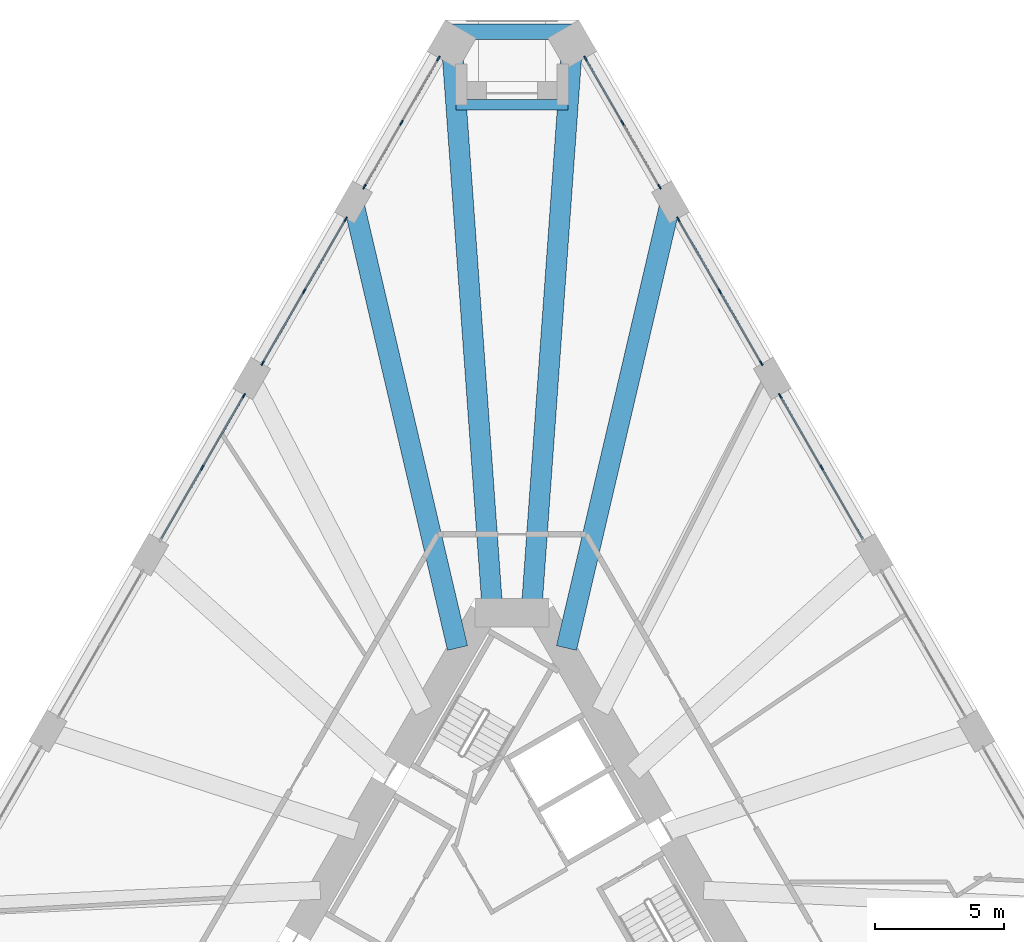
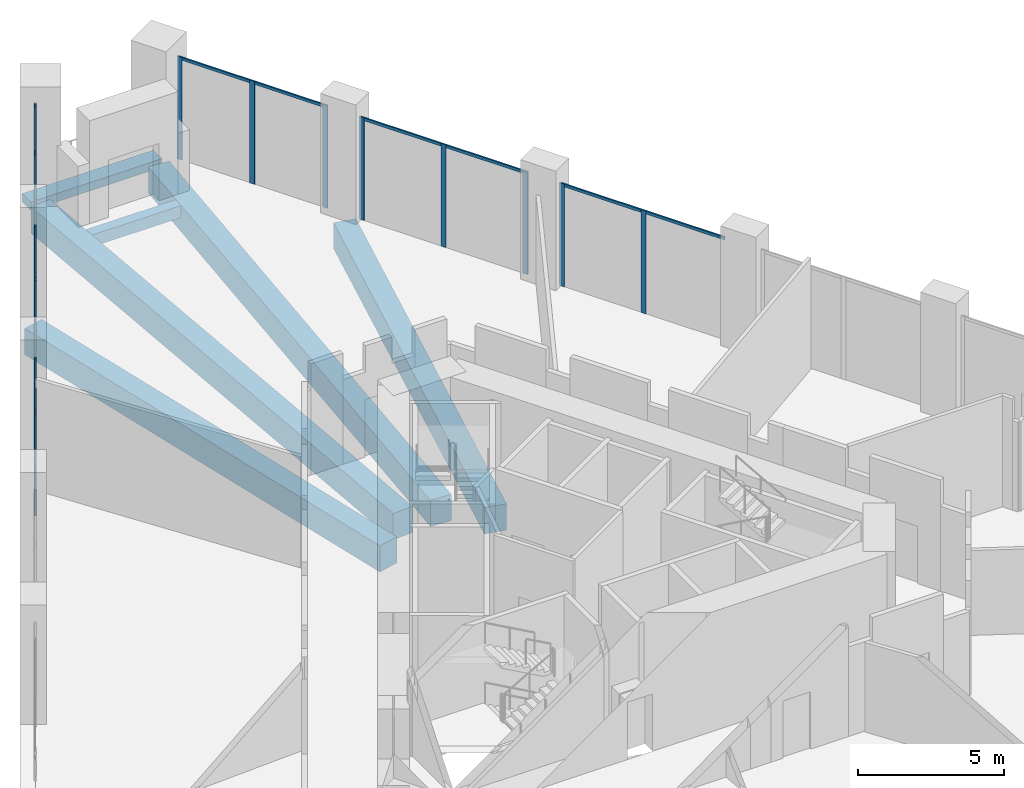
# One storey, part 11 of 20: 28 members, 6 beams, 6 elements without a shape of their own.
"""IFC4 building model written with IfcOpenShell, lengths in metres."""

from ifc_helpers import new_model, si_unit, direction, frame, origin, origin_2d, place, context, subcontext, project, spatial, rectangle, extrude, material, layer, layer_set, material_profile, profile_set, type_object, element, aggregate, save


model = new_model("IFC4")

# Units and contexts
model_context = context("Model", 3, precision=1e-05, world=origin(), true_north=direction((0.0, 1.0)))
body_context = subcontext(model_context, "Body", "Model", "MODEL_VIEW")
ifc_project = project(units=[si_unit("LENGTHUNIT", "METRE"), si_unit("AREAUNIT", "SQUARE_METRE"), si_unit("VOLUMEUNIT", "CUBIC_METRE"), si_unit("PLANEANGLEUNIT", "RADIAN"), si_unit("MASSUNIT", "GRAM", prefix="KILO")], contexts=[model_context])

# Site, building, storey
site_placement = place(None, origin())
site = spatial("IfcSite", under=ifc_project, at=site_placement, CompositionType="ELEMENT")
building_placement = place(site_placement, origin())
building = spatial("IfcBuilding", under=site, at=building_placement, Name="Tramontana Tower", CompositionType="ELEMENT")
storey_placement = place(building_placement, frame((0.0, 0.0, 15.0)))
storey = spatial("IfcBuildingStorey", under=building, at=storey_placement, Name="L02", CompositionType="ELEMENT", Elevation=15.0)

# Curtain wall, members
ifc_material_1 = material(Name="Aluminum extrusion", Category="aluminium")
ifc_layer = layer(ifc_material_1, 0.14990234375)
ifc_layer_set = layer_set([ifc_layer], Name="CW2 Podium amenity curtain wall")
curtain_wall_type = type_object("IfcCurtainWallType", Name="CW2 Podium amenity curtain wall", PredefinedType="NOTDEFINED", material=ifc_layer_set)
curtain_wall_1_placement = place(storey_placement, origin())
curtain_wall_1 = element("IfcCurtainWall", 1, at=curtain_wall_1_placement, inside=storey, type_object=curtain_wall_type, Name="CW2 curtain wall L02 face 0 bay 1", PredefinedType="NOTDEFINED")
ifc_material_2 = material(Name="Aluminum extrusion", Category="aluminium")
ifc_material_profile_1 = material_profile(ifc_material_2, rectangle(XDim=0.06005859375, YDim=0.199951171875, at=origin_2d()), Name="CW2-M Mullion 60 x 200")
ifc_profile_set_1 = profile_set([ifc_material_profile_1], Name="Aluminum extrusion")
member_type_1 = type_object("IfcMemberType", Name="CW2-M Mullion 60 x 200", PredefinedType="MULLION", material=ifc_profile_set_1)
member_1_placement = place(storey_placement, frame((-2.8583984375, 31.9990234375, 0.0), z_axis=(0.0, 0.0, 1.0), x_axis=(0.866025403784, -0.5, 0.0)))
member_1 = element("IfcMember", 2, at=member_1_placement, type_object=member_type_1, Name="CW2 curtain wall L02 face 0 bay 1 mullion 1", PredefinedType="MULLION", context=body_context, shape_type="SweptSolid", body=[
    extrude(rectangle(XDim=0.06005859375, YDim=0.199951171875, at=origin_2d()), origin(), (0.0, 0.0, 1.0), 4.300048828125),
])
member_2_placement = place(storey_placement, frame((-4.2978515625, 29.505859375, 0.0), z_axis=(0.0, 0.0, 1.0), x_axis=(0.866025403784, -0.5, 0.0)))
member_2 = element("IfcMember", 3, at=member_2_placement, type_object=member_type_1, Name="CW2 curtain wall L02 face 0 bay 1 mullion 2", PredefinedType="MULLION", context=body_context, shape_type="SweptSolid", body=[
    extrude(rectangle(XDim=0.06005859375, YDim=0.199951171875, at=origin_2d()), origin(), (0.0, 0.0, 1.0), 4.300048828125),
])
member_3_placement = place(storey_placement, frame((-5.7373046875, 27.012451171875, 0.0), z_axis=(0.0, 0.0, 1.0), x_axis=(0.866025403784, -0.5, 0.0)))
member_3 = element("IfcMember", 4, at=member_3_placement, type_object=member_type_1, Name="CW2 curtain wall L02 face 0 bay 1 mullion 3", PredefinedType="MULLION", context=body_context, shape_type="SweptSolid", body=[
    extrude(rectangle(XDim=0.06005859375, YDim=0.199951171875, at=origin_2d()), origin(), (0.0, 0.0, 1.0), 4.300048828125),
])

curtain_wall_2_placement = place(storey_placement, origin())
curtain_wall_2 = element("IfcCurtainWall", 5, at=curtain_wall_2_placement, inside=storey, type_object=curtain_wall_type, Name="CW2 curtain wall L02 face 0 bay 2", PredefinedType="NOTDEFINED")
member_4_placement = place(storey_placement, frame((-6.46728515625, 25.748046875, 0.0), z_axis=(0.0, 0.0, 1.0), x_axis=(0.866025403784, -0.5, 0.0)))
member_4 = element("IfcMember", 6, at=member_4_placement, type_object=member_type_1, Name="CW2 curtain wall L02 face 0 bay 2 mullion 1", PredefinedType="MULLION", context=body_context, shape_type="SweptSolid", body=[
    extrude(rectangle(XDim=0.06005859375, YDim=0.199951171875, at=origin_2d()), origin(), (0.0, 0.0, 1.0), 4.300048828125),
])
member_5_placement = place(storey_placement, frame((-8.081787109375, 22.951904296875, 0.0), z_axis=(0.0, 0.0, 1.0), x_axis=(0.866025403784, -0.5, 0.0)))
member_5 = element("IfcMember", 7, at=member_5_placement, type_object=member_type_1, Name="CW2 curtain wall L02 face 0 bay 2 mullion 2", PredefinedType="MULLION", context=body_context, shape_type="SweptSolid", body=[
    extrude(rectangle(XDim=0.06005859375, YDim=0.199951171875, at=origin_2d()), origin(), (0.0, 0.0, 1.0), 4.300048828125),
])
member_6_placement = place(storey_placement, frame((-9.6962890625, 20.155517578125, 0.0), z_axis=(0.0, 0.0, 1.0), x_axis=(0.866025403784, -0.5, 0.0)))
member_6 = element("IfcMember", 8, at=member_6_placement, type_object=member_type_1, Name="CW2 curtain wall L02 face 0 bay 2 mullion 3", PredefinedType="MULLION", context=body_context, shape_type="SweptSolid", body=[
    extrude(rectangle(XDim=0.06005859375, YDim=0.199951171875, at=origin_2d()), origin(), (0.0, 0.0, 1.0), 4.300048828125),
])

curtain_wall_3_placement = place(storey_placement, origin())
curtain_wall_3 = element("IfcCurtainWall", 9, at=curtain_wall_3_placement, inside=storey, type_object=curtain_wall_type, Name="CW2 curtain wall L02 face 0 bay 3", PredefinedType="NOTDEFINED")
member_7_placement = place(storey_placement, frame((-10.42626953125, 18.89111328125, 0.0), z_axis=(0.0, 0.0, 1.0), x_axis=(0.866025403784, -0.5, 0.0)))
member_7 = element("IfcMember", 10, at=member_7_placement, type_object=member_type_1, Name="CW2 curtain wall L02 face 0 bay 3 mullion 1", PredefinedType="MULLION", context=body_context, shape_type="SweptSolid", body=[
    extrude(rectangle(XDim=0.06005859375, YDim=0.199951171875, at=origin_2d()), origin(), (0.0, 0.0, 1.0), 4.300048828125),
])
member_8_placement = place(storey_placement, frame((-12.040771484375, 16.0947265625, 0.0), z_axis=(0.0, 0.0, 1.0), x_axis=(0.866025403784, -0.5, 0.0)))
member_8 = element("IfcMember", 11, at=member_8_placement, type_object=member_type_1, Name="CW2 curtain wall L02 face 0 bay 3 mullion 2", PredefinedType="MULLION", context=body_context, shape_type="SweptSolid", body=[
    extrude(rectangle(XDim=0.06005859375, YDim=0.199951171875, at=origin_2d()), origin(), (0.0, 0.0, 1.0), 4.300048828125),
])

curtain_wall_4_placement = place(storey_placement, origin())
curtain_wall_4 = element("IfcCurtainWall", 12, at=curtain_wall_4_placement, inside=storey, type_object=curtain_wall_type, Name="CW2 curtain wall L02 face 2 bay 5", PredefinedType="NOTDEFINED")
member_9_placement = place(storey_placement, frame((12.040771484375, 16.0947265625, 0.0), z_axis=(0.0, 0.0, 1.0), x_axis=(-0.866025403784, -0.5, 0.0)))
member_9 = element("IfcMember", 13, at=member_9_placement, type_object=member_type_1, Name="CW2 curtain wall L02 face 2 bay 5 mullion 2", PredefinedType="MULLION", context=body_context, shape_type="SweptSolid", body=[
    extrude(rectangle(XDim=0.06005859375, YDim=0.199951171875, at=origin_2d()), origin(), (0.0, 0.0, 1.0), 4.300048828125),
])
member_10_placement = place(storey_placement, frame((10.42626953125, 18.89111328125, 0.0), z_axis=(0.0, 0.0, 1.0), x_axis=(-0.866025403784, -0.5, 0.0)))
member_10 = element("IfcMember", 14, at=member_10_placement, type_object=member_type_1, Name="CW2 curtain wall L02 face 2 bay 5 mullion 3", PredefinedType="MULLION", context=body_context, shape_type="SweptSolid", body=[
    extrude(rectangle(XDim=0.06005859375, YDim=0.199951171875, at=origin_2d()), origin(), (0.0, 0.0, 1.0), 4.300048828125),
])

curtain_wall_5_placement = place(storey_placement, origin())
curtain_wall_5 = element("IfcCurtainWall", 15, at=curtain_wall_5_placement, inside=storey, type_object=curtain_wall_type, Name="CW2 curtain wall L02 face 2 bay 6", PredefinedType="NOTDEFINED")
member_11_placement = place(storey_placement, frame((9.6962890625, 20.155517578125, 0.0), z_axis=(0.0, 0.0, 1.0), x_axis=(-0.866025403784, -0.5, 0.0)))
member_11 = element("IfcMember", 16, at=member_11_placement, type_object=member_type_1, Name="CW2 curtain wall L02 face 2 bay 6 mullion 1", PredefinedType="MULLION", context=body_context, shape_type="SweptSolid", body=[
    extrude(rectangle(XDim=0.06005859375, YDim=0.199951171875, at=origin_2d()), origin(), (0.0, 0.0, 1.0), 4.300048828125),
])
member_12_placement = place(storey_placement, frame((8.081787109375, 22.951904296875, 0.0), z_axis=(0.0, 0.0, 1.0), x_axis=(-0.866025403784, -0.5, 0.0)))
member_12 = element("IfcMember", 17, at=member_12_placement, type_object=member_type_1, Name="CW2 curtain wall L02 face 2 bay 6 mullion 2", PredefinedType="MULLION", context=body_context, shape_type="SweptSolid", body=[
    extrude(rectangle(XDim=0.06005859375, YDim=0.199951171875, at=origin_2d()), origin(), (0.0, 0.0, 1.0), 4.300048828125),
])
member_13_placement = place(storey_placement, frame((6.46728515625, 25.748046875, 0.0), z_axis=(0.0, 0.0, 1.0), x_axis=(-0.866025403784, -0.5, 0.0)))
member_13 = element("IfcMember", 18, at=member_13_placement, type_object=member_type_1, Name="CW2 curtain wall L02 face 2 bay 6 mullion 3", PredefinedType="MULLION", context=body_context, shape_type="SweptSolid", body=[
    extrude(rectangle(XDim=0.06005859375, YDim=0.199951171875, at=origin_2d()), origin(), (0.0, 0.0, 1.0), 4.300048828125),
])

curtain_wall_6_placement = place(storey_placement, origin())
curtain_wall_6 = element("IfcCurtainWall", 19, at=curtain_wall_6_placement, inside=storey, type_object=curtain_wall_type, Name="CW2 curtain wall L02 face 2 bay 7", PredefinedType="NOTDEFINED")
member_14_placement = place(storey_placement, frame((5.7373046875, 27.012451171875, 0.0), z_axis=(0.0, 0.0, 1.0), x_axis=(-0.866025403784, -0.5, 0.0)))
member_14 = element("IfcMember", 20, at=member_14_placement, type_object=member_type_1, Name="CW2 curtain wall L02 face 2 bay 7 mullion 1", PredefinedType="MULLION", context=body_context, shape_type="SweptSolid", body=[
    extrude(rectangle(XDim=0.06005859375, YDim=0.199951171875, at=origin_2d()), origin(), (0.0, 0.0, 1.0), 4.300048828125),
])
member_15_placement = place(storey_placement, frame((4.2978515625, 29.505859375, 0.0), z_axis=(0.0, 0.0, 1.0), x_axis=(-0.866025403784, -0.5, 0.0)))
member_15 = element("IfcMember", 21, at=member_15_placement, type_object=member_type_1, Name="CW2 curtain wall L02 face 2 bay 7 mullion 2", PredefinedType="MULLION", context=body_context, shape_type="SweptSolid", body=[
    extrude(rectangle(XDim=0.06005859375, YDim=0.199951171875, at=origin_2d()), origin(), (0.0, 0.0, 1.0), 4.300048828125),
])
member_16_placement = place(storey_placement, frame((2.8583984375, 31.9990234375, 0.0), z_axis=(0.0, 0.0, 1.0), x_axis=(-0.866025403784, -0.5, 0.0)))
member_16 = element("IfcMember", 22, at=member_16_placement, type_object=member_type_1, Name="CW2 curtain wall L02 face 2 bay 7 mullion 3", PredefinedType="MULLION", context=body_context, shape_type="SweptSolid", body=[
    extrude(rectangle(XDim=0.06005859375, YDim=0.199951171875, at=origin_2d()), origin(), (0.0, 0.0, 1.0), 4.300048828125),
])

# Member
ifc_material_3 = material(Name="Aluminum extrusion", Category="aluminium")
ifc_material_profile_2 = material_profile(ifc_material_3, rectangle(XDim=0.06005859375, YDim=0.1201171875, at=origin_2d()), Name="CW2-T Transom 60 x 120")
ifc_profile_set_2 = profile_set([ifc_material_profile_2], Name="Aluminum extrusion")
member_type_2 = type_object("IfcMemberType", Name="CW2-T Transom 60 x 120", PredefinedType="USERDEFINED", material=ifc_profile_set_2)
member_17_placement = place(storey_placement, frame((-2.873291015625, 31.97314453125, 4.239990234375), z_axis=(-0.500032300065, -0.86600675453, 0.0), x_axis=(0.86600675453, -0.500032300065, 0.0)))
member_17 = element("IfcMember", 23, at=member_17_placement, type_object=member_type_2, Name="CW2 curtain wall L02 face 0 bay 1 transom 1.1", ObjectType="TRANSOM", PredefinedType="USERDEFINED", context=body_context, shape_type="SweptSolid", body=[
    extrude(rectangle(XDim=0.06005859375, YDim=0.1201171875, at=origin_2d()), origin(), (0.0, 0.0, 1.0), 2.819091796875),
])

member_18_placement = place(storey_placement, frame((-4.31298828125, 29.479736328125, 4.239990234375), z_axis=(-0.500004849665, -0.866022603811, 0.0), x_axis=(0.866022603811, -0.500004849665, 0.0)))
member_18 = element("IfcMember", 24, at=member_18_placement, type_object=member_type_2, Name="CW2 curtain wall L02 face 0 bay 1 transom 2.1", ObjectType="TRANSOM", PredefinedType="USERDEFINED", context=body_context, shape_type="SweptSolid", body=[
    extrude(rectangle(XDim=0.06005859375, YDim=0.1201171875, at=origin_2d()), origin(), (0.0, 0.0, 1.0), 2.81884765625),
])

aggregate(curtain_wall_1, [member_1, member_2, member_3, member_17, member_18])

member_19_placement = place(storey_placement, frame((-6.482421875, 25.72216796875, 4.239990234375), z_axis=(-0.500000324964, -0.866025216166, 0.0), x_axis=(0.866025216166, -0.500000324964, 0.0)))
member_19 = element("IfcMember", 25, at=member_19_placement, type_object=member_type_2, Name="CW2 curtain wall L02 face 0 bay 2 transom 1.1", ObjectType="TRANSOM", PredefinedType="USERDEFINED", context=body_context, shape_type="SweptSolid", body=[
    extrude(rectangle(XDim=0.06005859375, YDim=0.1201171875, at=origin_2d()), origin(), (0.0, 0.0, 1.0), 3.1689453125),
])

member_20_placement = place(storey_placement, frame((-8.096923828125, 22.92578125, 4.239990234375), z_axis=(-0.500000324964, -0.866025216166, 0.0), x_axis=(0.866025216166, -0.500000324964, 0.0)))
member_20 = element("IfcMember", 26, at=member_20_placement, type_object=member_type_2, Name="CW2 curtain wall L02 face 0 bay 2 transom 2.1", ObjectType="TRANSOM", PredefinedType="USERDEFINED", context=body_context, shape_type="SweptSolid", body=[
    extrude(rectangle(XDim=0.06005859375, YDim=0.1201171875, at=origin_2d()), origin(), (0.0, 0.0, 1.0), 3.1689453125),
])

aggregate(curtain_wall_2, [member_4, member_5, member_6, member_19, member_20])

member_21_placement = place(storey_placement, frame((-10.44140625, 18.864990234375, 4.239990234375), z_axis=(-0.500000324964, -0.866025216166, 0.0), x_axis=(0.866025216166, -0.500000324964, 0.0)))
member_21 = element("IfcMember", 27, at=member_21_placement, type_object=member_type_2, Name="CW2 curtain wall L02 face 0 bay 3 transom 1.1", ObjectType="TRANSOM", PredefinedType="USERDEFINED", context=body_context, shape_type="SweptSolid", body=[
    extrude(rectangle(XDim=0.06005859375, YDim=0.1201171875, at=origin_2d()), origin(), (0.0, 0.0, 1.0), 3.1689453125),
])

member_22_placement = place(storey_placement, frame((-12.055908203125, 16.068603515625, 4.239990234375), z_axis=(-0.500000324964, -0.866025216166, 0.0), x_axis=(0.866025216166, -0.500000324964, 0.0)))
member_22 = element("IfcMember", 28, at=member_22_placement, type_object=member_type_2, Name="CW2 curtain wall L02 face 0 bay 3 transom 2.1", ObjectType="TRANSOM", PredefinedType="USERDEFINED", context=body_context, shape_type="SweptSolid", body=[
    extrude(rectangle(XDim=0.06005859375, YDim=0.1201171875, at=origin_2d()), origin(), (0.0, 0.0, 1.0), 3.1689453125),
])

aggregate(curtain_wall_3, [member_7, member_8, member_21, member_22])

member_23_placement = place(storey_placement, frame((13.640380859375, 13.32421875, 4.239990234375), z_axis=(-0.500000324964, 0.866025216166, 0.0), x_axis=(-0.866025216166, -0.500000324964, 0.0)))
member_23 = element("IfcMember", 29, at=member_23_placement, type_object=member_type_2, Name="CW2 curtain wall L02 face 2 bay 5 transom 1.1", ObjectType="TRANSOM", PredefinedType="USERDEFINED", context=body_context, shape_type="SweptSolid", body=[
    extrude(rectangle(XDim=0.06005859375, YDim=0.1201171875, at=origin_2d()), origin(), (0.0, 0.0, 1.0), 3.1689453125),
])

member_24_placement = place(storey_placement, frame((12.02587890625, 16.12060546875, 4.239990234375), z_axis=(-0.500000324964, 0.866025216166, 0.0), x_axis=(-0.866025216166, -0.500000324964, 0.0)))
member_24 = element("IfcMember", 30, at=member_24_placement, type_object=member_type_2, Name="CW2 curtain wall L02 face 2 bay 5 transom 2.1", ObjectType="TRANSOM", PredefinedType="USERDEFINED", context=body_context, shape_type="SweptSolid", body=[
    extrude(rectangle(XDim=0.06005859375, YDim=0.1201171875, at=origin_2d()), origin(), (0.0, 0.0, 1.0), 3.1689453125),
])

aggregate(curtain_wall_4, [member_9, member_10, member_23, member_24])

member_25_placement = place(storey_placement, frame((9.681396484375, 20.181396484375, 4.239990234375), z_axis=(-0.500000324964, 0.866025216166, 0.0), x_axis=(-0.866025216166, -0.500000324964, 0.0)))
member_25 = element("IfcMember", 31, at=member_25_placement, type_object=member_type_2, Name="CW2 curtain wall L02 face 2 bay 6 transom 1.1", ObjectType="TRANSOM", PredefinedType="USERDEFINED", context=body_context, shape_type="SweptSolid", body=[
    extrude(rectangle(XDim=0.06005859375, YDim=0.1201171875, at=origin_2d()), origin(), (0.0, 0.0, 1.0), 3.1689453125),
])

member_26_placement = place(storey_placement, frame((8.06689453125, 22.977783203125, 4.239990234375), z_axis=(-0.500000324964, 0.866025216166, 0.0), x_axis=(-0.866025216166, -0.500000324964, 0.0)))
member_26 = element("IfcMember", 32, at=member_26_placement, type_object=member_type_2, Name="CW2 curtain wall L02 face 2 bay 6 transom 2.1", ObjectType="TRANSOM", PredefinedType="USERDEFINED", context=body_context, shape_type="SweptSolid", body=[
    extrude(rectangle(XDim=0.06005859375, YDim=0.1201171875, at=origin_2d()), origin(), (0.0, 0.0, 1.0), 3.1689453125),
])

aggregate(curtain_wall_5, [member_11, member_12, member_13, member_25, member_26])

member_27_placement = place(storey_placement, frame((5.722412109375, 27.03857421875, 4.239990234375), z_axis=(-0.500004849665, 0.866022603811, 0.0), x_axis=(-0.866022603811, -0.500004849665, 0.0)))
member_27 = element("IfcMember", 33, at=member_27_placement, type_object=member_type_2, Name="CW2 curtain wall L02 face 2 bay 7 transom 1.1", ObjectType="TRANSOM", PredefinedType="USERDEFINED", context=body_context, shape_type="SweptSolid", body=[
    extrude(rectangle(XDim=0.06005859375, YDim=0.1201171875, at=origin_2d()), origin(), (0.0, 0.0, 1.0), 2.81884765625),
])

member_28_placement = place(storey_placement, frame((4.282958984375, 29.53173828125, 4.239990234375), z_axis=(-0.500032300065, 0.86600675453, 0.0), x_axis=(-0.86600675453, -0.500032300065, 0.0)))
member_28 = element("IfcMember", 34, at=member_28_placement, type_object=member_type_2, Name="CW2 curtain wall L02 face 2 bay 7 transom 2.1", ObjectType="TRANSOM", PredefinedType="USERDEFINED", context=body_context, shape_type="SweptSolid", body=[
    extrude(rectangle(XDim=0.06005859375, YDim=0.1201171875, at=origin_2d()), origin(), (0.0, 0.0, 1.0), 2.819091796875),
])

aggregate(curtain_wall_6, [member_14, member_15, member_16, member_27, member_28])

# Beams
ifc_material_4 = material(Name="Concrete 40 MPa", Category="concrete")
ifc_material_profile_3 = material_profile(ifc_material_4, rectangle(XDim=0.60009765625, YDim=0.35009765625, at=origin_2d()), Name="RC EDGE BEAM 600X350 40 MPa")
ifc_profile_set_3 = profile_set([ifc_material_profile_3], Name="Concrete 40 MPa")
beam_type_1 = type_object("IfcBeamType", Name="RC EDGE BEAM 600X350 40 MPa", PredefinedType="SPANDREL", material=ifc_profile_set_3)
beam_1_placement = place(storey_placement, frame((2.59814453125, 33.050048828125, -0.52490234375), z_axis=(-1.0, 0.0, 0.0), x_axis=(0.0, -1.0, 0.0)))
element("IfcBeam", 35, at=beam_1_placement, inside=storey, type_object=beam_type_1, Name="Spandrel beam K0 L02", PredefinedType="SPANDREL", context=body_context, shape_type="SweptSolid", body=[
    extrude(rectangle(XDim=0.60009765625, YDim=0.35009765625, at=origin_2d()), origin(), (0.0, 0.0, 1.0), 5.1962890625),
])
ifc_material_5 = material(Name="Concrete 40 MPa", Category="concrete")
ifc_material_profile_4 = material_profile(ifc_material_5, rectangle(XDim=0.800048828125, YDim=1.10009765625, at=origin_2d()), Name="RC GIRDER 800X1100 40 MPa")
ifc_profile_set_4 = profile_set([ifc_material_profile_4], Name="Concrete 40 MPa")
beam_type_2 = type_object("IfcBeamType", Name="RC GIRDER 800X1100 40 MPa", PredefinedType="BEAM", material=ifc_profile_set_4)
beam_2_placement = place(storey_placement, frame((-2.341796875, 32.543701171875, -0.89990234375), z_axis=(0.071767165612, -0.997421412413, 0.0), x_axis=(0.997421412413, 0.071767165612, 0.0)))
element("IfcBeam", 36, at=beam_2_placement, inside=storey, type_object=beam_type_2, Name="Radial girder C0K1 L02", PredefinedType="BEAM", context=body_context, shape_type="SweptSolid", body=[
    extrude(rectangle(XDim=0.800048828125, YDim=1.10009765625, at=origin_2d()), origin(), (0.0, 0.0, 1.0), 22.1494140625),
])
for number, where, z_axis, x_axis, name in (
    (37, (-6.167236328125, 26.41796875, -0.89990234375), (0.227334068495, -0.973816831494, 0.0), (0.973816831494, 0.227334068495, 0.0), "Radial girder C0F01 L02"),
    (38, (6.167236328125, 26.41796875, -0.89990234375), (-0.227334068495, -0.973816831494, 0.0), (0.973816831494, -0.227334068495, 0.0), "Radial girder C0F18 L02"),
):
    element("IfcBeam", number, at=place(storey_placement, frame(where, z_axis=z_axis, x_axis=x_axis)), inside=storey, type_object=beam_type_2, Name=name, PredefinedType="BEAM", context=body_context, shape_type="SweptSolid", body=[
        extrude(rectangle(XDim=0.800048828125, YDim=1.10009765625, at=origin_2d()), origin(), (0.0, 0.0, 1.0), 17.806884765625),
    ])
beam_3_placement = place(storey_placement, frame((2.341796875, 32.543701171875, -0.89990234375), z_axis=(-0.071767165612, -0.997421412413, 0.0), x_axis=(0.997421412413, -0.071767165612, 0.0)))
element("IfcBeam", 39, at=beam_3_placement, inside=storey, type_object=beam_type_2, Name="Radial girder C0K6 L02", PredefinedType="BEAM", context=body_context, shape_type="SweptSolid", body=[
    extrude(rectangle(XDim=0.800048828125, YDim=1.10009765625, at=origin_2d()), origin(), (0.0, 0.0, 1.0), 22.1494140625),
])
ifc_material_6 = material(Name="Concrete 40 MPa", Category="concrete")
ifc_material_profile_5 = material_profile(ifc_material_6, rectangle(XDim=0.39990234375, YDim=0.5, at=origin_2d()), Name="RC TRIM BEAM 400X500 40 MPa")
ifc_profile_set_5 = profile_set([ifc_material_profile_5], Name="Concrete 40 MPa")
beam_type_3 = type_object("IfcBeamType", Name="RC TRIM BEAM 400X500 40 MPa", PredefinedType="JOIST", material=ifc_profile_set_5)
beam_4_placement = place(storey_placement, frame((2.173095703125, 30.199951171875, -0.60009765625), z_axis=(-1.0, 0.0, 0.0), x_axis=(0.0, -1.0, 0.0)))
element("IfcBeam", 40, at=beam_4_placement, inside=storey, type_object=beam_type_3, Name="Trimmer beam K0 L02", PredefinedType="JOIST", context=body_context, shape_type="SweptSolid", body=[
    extrude(rectangle(XDim=0.39990234375, YDim=0.5, at=origin_2d()), origin(), (0.0, 0.0, 1.0), 4.34619140625),
])

save(model, "model.ifc")
